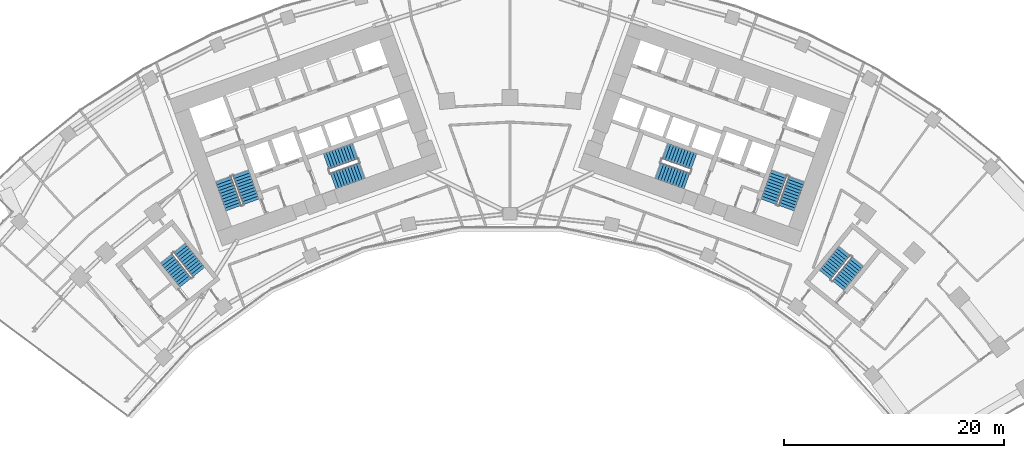
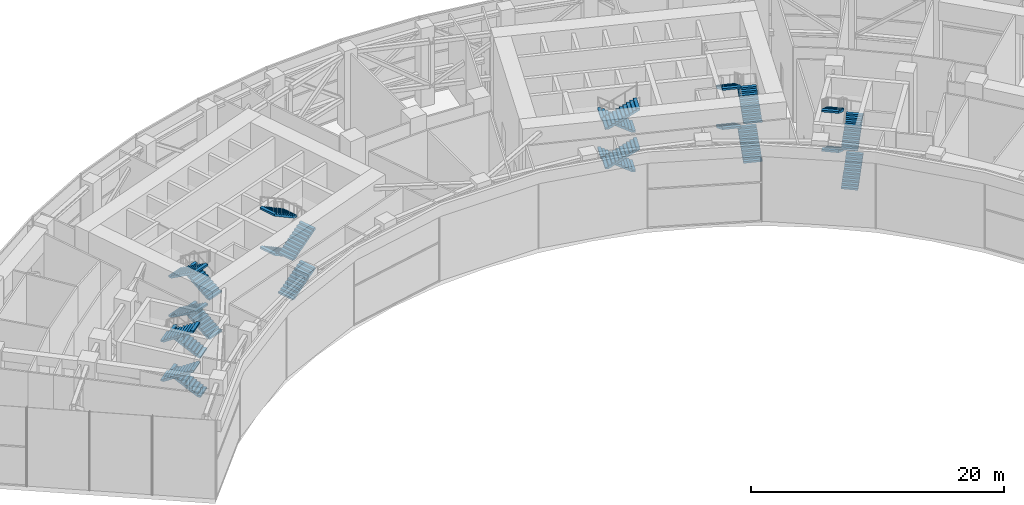
# One storey, part 27 of 30: 24 stair flights, 6 elements without a shape of their own.
"""IFC4 building model written with IfcOpenShell, lengths in metres."""

from ifc_helpers import new_model, si_unit, direction, frame, origin, place, context, subcontext, project, spatial, polyline, outline, extrude, material, type_object, element, aggregate, save


model = new_model("IFC4")

# Units and contexts
model_context = context("Model", 3, precision=1e-05, world=origin(), true_north=direction((0.0, 1.0)))
body_context = subcontext(model_context, "Body", "Model", "MODEL_VIEW")
ifc_project = project(units=[si_unit("LENGTHUNIT", "METRE"), si_unit("AREAUNIT", "SQUARE_METRE"), si_unit("VOLUMEUNIT", "CUBIC_METRE"), si_unit("PLANEANGLEUNIT", "RADIAN"), si_unit("MASSUNIT", "GRAM", prefix="KILO")], contexts=[model_context])

# Site, building, storey
site_placement = place(None, origin())
site = spatial("IfcSite", under=ifc_project, at=site_placement, CompositionType="ELEMENT")
building_placement = place(site_placement, origin())
building = spatial("IfcBuilding", under=site, at=building_placement, Name="Stone Belt Terrace Tower", CompositionType="ELEMENT")
storey_placement = place(building_placement, frame((0.0, 0.0, 136.39990234375)))
storey = spatial("IfcBuildingStorey", under=building, at=storey_placement, Name="L33", CompositionType="ELEMENT", Elevation=136.39990234375)

# Stair, stair flights
ifc_material = material(Name="Concrete B40", Category="concrete")
stair_type = type_object("IfcStairType", Name="Exit stair 1500", PredefinedType="HALF_TURN_STAIR", material=ifc_material)
stair_1_placement = place(storey_placement, origin())
stair_1 = element("IfcStair", 1, at=stair_1_placement, inside=storey, type_object=stair_type, Name="L33 Exit stair 1 core A", PredefinedType="HALF_TURN_STAIR")
stair_flight_type = type_object("IfcStairFlightType", Name="Stair flight 1500", PredefinedType="STRAIGHT", material=ifc_material)
stair_flight_1_placement = place(storey_placement, frame((-23.55322265625, 45.51318359375, 0.0), z_axis=(0.0, 0.0, 1.0), x_axis=(-0.338624396177, 0.940921632398, 0.0)))
stair_flight_1 = element("IfcStairFlight", 2, at=stair_flight_1_placement, type_object=stair_flight_type, Name="ST1A flight 1", NumberOfRisers=11, NumberOfTreads=10, PredefinedType="STRAIGHT", RiserHeight=0.172727273, TreadLength=0.28, context=body_context, shape_type="SweptSolid", body=[
    extrude(outline(polyline([(0.0, 0.0), (0.0, 0.172607421875), (0.280029296875, 0.172607421875), (0.280029296875, 0.345458984375), (0.56005859375, 0.345458984375), (0.56005859375, 0.51806640625), (0.840087890625, 0.51806640625), (0.840087890625, 0.69091796875), (1.1201171875, 0.69091796875), (1.1201171875, 0.863525390625), (1.39990234375, 0.863525390625), (1.39990234375, 1.036376953125), (1.679931640625, 1.036376953125), (1.679931640625, 1.208984375), (1.9599609375, 1.208984375), (1.9599609375, 1.3818359375), (2.239990234375, 1.3818359375), (2.239990234375, 1.554443359375), (2.52001953125, 1.554443359375), (2.52001953125, 1.727294921875), (2.800048828125, 1.727294921875), (2.800048828125, 1.89990234375), (2.800048828125, 1.551025390625), (0.285400390625, 0.0), (0.0, 0.0)])), frame((0.0, 0.75, 0.0), z_axis=(0.0, -1.0, 0.0), x_axis=(1.0, 0.0, 0.0)), (0.0, 0.0, 1.0), 1.5),
])
stair_flight_2_placement = place(storey_placement, frame((-26.10107421875, 47.572021484375, 1.900146484375), z_axis=(0.0, 0.0, 1.0), x_axis=(0.338624396177, -0.940921632398, 0.0)))
stair_flight_2 = element("IfcStairFlight", 3, at=stair_flight_2_placement, type_object=stair_flight_type, Name="ST1A flight 2", NumberOfRisers=11, NumberOfTreads=10, PredefinedType="STRAIGHT", RiserHeight=0.172727273, TreadLength=0.28, context=body_context, shape_type="SweptSolid", body=[
    extrude(outline(polyline([(0.0, 0.0), (0.0, 0.172607421875), (0.280029296875, 0.172607421875), (0.280029296875, 0.345458984375), (0.56005859375, 0.345458984375), (0.56005859375, 0.51806640625), (0.840087890625, 0.51806640625), (0.840087890625, 0.69091796875), (1.1201171875, 0.69091796875), (1.1201171875, 0.863525390625), (1.39990234375, 0.863525390625), (1.39990234375, 1.036376953125), (1.679931640625, 1.036376953125), (1.679931640625, 1.208984375), (1.9599609375, 1.208984375), (1.9599609375, 1.3818359375), (2.239990234375, 1.3818359375), (2.239990234375, 1.554443359375), (2.52001953125, 1.554443359375), (2.52001953125, 1.727294921875), (2.800048828125, 1.727294921875), (2.800048828125, 1.89990234375), (2.800048828125, 1.551025390625), (0.285400390625, 0.0), (0.0, 0.0)])), frame((0.0, 0.75, 0.0), z_axis=(0.0, -1.0, 0.0), x_axis=(1.0, 0.0, 0.0)), (0.0, 0.0, 1.0), 1.5),
])
stair_flight_3_placement = place(storey_placement, frame((-23.55322265625, 45.51318359375, 3.800048828125), z_axis=(0.0, 0.0, 1.0), x_axis=(-0.338624396177, 0.940921632398, 0.0)))
stair_flight_3 = element("IfcStairFlight", 4, at=stair_flight_3_placement, type_object=stair_flight_type, Name="ST1A flight 3", NumberOfRisers=11, NumberOfTreads=10, PredefinedType="STRAIGHT", RiserHeight=0.172727273, TreadLength=0.28, context=body_context, shape_type="SweptSolid", body=[
    extrude(outline(polyline([(0.0, 0.0), (0.0, 0.172607421875), (0.280029296875, 0.172607421875), (0.280029296875, 0.345458984375), (0.56005859375, 0.345458984375), (0.56005859375, 0.51806640625), (0.840087890625, 0.51806640625), (0.840087890625, 0.69091796875), (1.1201171875, 0.69091796875), (1.1201171875, 0.863525390625), (1.39990234375, 0.863525390625), (1.39990234375, 1.036376953125), (1.679931640625, 1.036376953125), (1.679931640625, 1.208984375), (1.9599609375, 1.208984375), (1.9599609375, 1.3818359375), (2.239990234375, 1.3818359375), (2.239990234375, 1.554443359375), (2.52001953125, 1.554443359375), (2.52001953125, 1.727294921875), (2.800048828125, 1.727294921875), (2.800048828125, 1.89990234375), (2.800048828125, 1.551025390625), (0.285400390625, 0.0), (0.0, 0.0)])), frame((0.0, 0.75, 0.0), z_axis=(0.0, -1.0, 0.0), x_axis=(1.0, 0.0, 0.0)), (0.0, 0.0, 1.0), 1.5),
])
stair_flight_4_placement = place(storey_placement, frame((-26.10107421875, 47.572021484375, 5.7001953125), z_axis=(0.0, 0.0, 1.0), x_axis=(0.338624396177, -0.940921632398, 0.0)))
stair_flight_4 = element("IfcStairFlight", 5, at=stair_flight_4_placement, type_object=stair_flight_type, Name="ST1A flight 4", NumberOfRisers=11, NumberOfTreads=10, PredefinedType="STRAIGHT", RiserHeight=0.172727273, TreadLength=0.28, context=body_context, shape_type="SweptSolid", body=[
    extrude(outline(polyline([(0.0, 0.0), (0.0, 0.172607421875), (0.280029296875, 0.172607421875), (0.280029296875, 0.345458984375), (0.56005859375, 0.345458984375), (0.56005859375, 0.51806640625), (0.840087890625, 0.51806640625), (0.840087890625, 0.69091796875), (1.1201171875, 0.69091796875), (1.1201171875, 0.863525390625), (1.39990234375, 0.863525390625), (1.39990234375, 1.036376953125), (1.679931640625, 1.036376953125), (1.679931640625, 1.208984375), (1.9599609375, 1.208984375), (1.9599609375, 1.3818359375), (2.239990234375, 1.3818359375), (2.239990234375, 1.554443359375), (2.52001953125, 1.554443359375), (2.52001953125, 1.727294921875), (2.800048828125, 1.727294921875), (2.800048828125, 1.89990234375), (2.800048828125, 1.551025390625), (0.285400390625, 0.0), (0.0, 0.0)])), frame((0.0, 0.75, 0.0), z_axis=(0.0, -1.0, 0.0), x_axis=(1.0, 0.0, 0.0)), (0.0, 0.0, 1.0), 1.5),
])
aggregate(stair_1, [stair_flight_1, stair_flight_2, stair_flight_3, stair_flight_4])

stair_2_placement = place(storey_placement, origin())
stair_2 = element("IfcStair", 6, at=stair_2_placement, inside=storey, type_object=stair_type, Name="L33 Exit stair 2 core A", PredefinedType="HALF_TURN_STAIR")
stair_flight_5_placement = place(storey_placement, frame((-16.101318359375, 47.39794921875, 0.0), z_axis=(0.0, 0.0, 1.0), x_axis=(0.940921632398, 0.338624396177, 0.0)))
stair_flight_5 = element("IfcStairFlight", 7, at=stair_flight_5_placement, type_object=stair_flight_type, Name="ST2A flight 1", NumberOfRisers=11, NumberOfTreads=10, PredefinedType="STRAIGHT", RiserHeight=0.172727273, TreadLength=0.28, context=body_context, shape_type="SweptSolid", body=[
    extrude(outline(polyline([(0.0, 0.0), (0.0, 0.172607421875), (0.280029296875, 0.172607421875), (0.280029296875, 0.345458984375), (0.56005859375, 0.345458984375), (0.56005859375, 0.51806640625), (0.840087890625, 0.51806640625), (0.840087890625, 0.69091796875), (1.1201171875, 0.69091796875), (1.1201171875, 0.863525390625), (1.39990234375, 0.863525390625), (1.39990234375, 1.036376953125), (1.679931640625, 1.036376953125), (1.679931640625, 1.208984375), (1.9599609375, 1.208984375), (1.9599609375, 1.3818359375), (2.239990234375, 1.3818359375), (2.239990234375, 1.554443359375), (2.52001953125, 1.554443359375), (2.52001953125, 1.727294921875), (2.800048828125, 1.727294921875), (2.800048828125, 1.89990234375), (2.800048828125, 1.551025390625), (0.285400390625, 0.0), (0.0, 0.0)])), frame((0.0, 0.75, 0.0), z_axis=(0.0, -1.0, 0.0), x_axis=(1.0, 0.0, 0.0)), (0.0, 0.0, 1.0), 1.5),
])
stair_flight_6_placement = place(storey_placement, frame((-14.110107421875, 50.1337890625, 1.900146484375), z_axis=(0.0, 0.0, 1.0), x_axis=(-0.940921632398, -0.338624396177, 0.0)))
stair_flight_6 = element("IfcStairFlight", 8, at=stair_flight_6_placement, type_object=stair_flight_type, Name="ST2A flight 2", NumberOfRisers=11, NumberOfTreads=10, PredefinedType="STRAIGHT", RiserHeight=0.172727273, TreadLength=0.28, context=body_context, shape_type="SweptSolid", body=[
    extrude(outline(polyline([(0.0, 0.0), (0.0, 0.172607421875), (0.280029296875, 0.172607421875), (0.280029296875, 0.345458984375), (0.56005859375, 0.345458984375), (0.56005859375, 0.51806640625), (0.840087890625, 0.51806640625), (0.840087890625, 0.69091796875), (1.1201171875, 0.69091796875), (1.1201171875, 0.863525390625), (1.39990234375, 0.863525390625), (1.39990234375, 1.036376953125), (1.679931640625, 1.036376953125), (1.679931640625, 1.208984375), (1.9599609375, 1.208984375), (1.9599609375, 1.3818359375), (2.239990234375, 1.3818359375), (2.239990234375, 1.554443359375), (2.52001953125, 1.554443359375), (2.52001953125, 1.727294921875), (2.800048828125, 1.727294921875), (2.800048828125, 1.89990234375), (2.800048828125, 1.551025390625), (0.285400390625, 0.0), (0.0, 0.0)])), frame((0.0, 0.75, 0.0), z_axis=(0.0, -1.0, 0.0), x_axis=(1.0, 0.0, 0.0)), (0.0, 0.0, 1.0), 1.5),
])
stair_flight_7_placement = place(storey_placement, frame((-16.101318359375, 47.39794921875, 3.800048828125), z_axis=(0.0, 0.0, 1.0), x_axis=(0.940921632398, 0.338624396177, 0.0)))
stair_flight_7 = element("IfcStairFlight", 9, at=stair_flight_7_placement, type_object=stair_flight_type, Name="ST2A flight 3", NumberOfRisers=11, NumberOfTreads=10, PredefinedType="STRAIGHT", RiserHeight=0.172727273, TreadLength=0.28, context=body_context, shape_type="SweptSolid", body=[
    extrude(outline(polyline([(0.0, 0.0), (0.0, 0.172607421875), (0.280029296875, 0.172607421875), (0.280029296875, 0.345458984375), (0.56005859375, 0.345458984375), (0.56005859375, 0.51806640625), (0.840087890625, 0.51806640625), (0.840087890625, 0.69091796875), (1.1201171875, 0.69091796875), (1.1201171875, 0.863525390625), (1.39990234375, 0.863525390625), (1.39990234375, 1.036376953125), (1.679931640625, 1.036376953125), (1.679931640625, 1.208984375), (1.9599609375, 1.208984375), (1.9599609375, 1.3818359375), (2.239990234375, 1.3818359375), (2.239990234375, 1.554443359375), (2.52001953125, 1.554443359375), (2.52001953125, 1.727294921875), (2.800048828125, 1.727294921875), (2.800048828125, 1.89990234375), (2.800048828125, 1.551025390625), (0.285400390625, 0.0), (0.0, 0.0)])), frame((0.0, 0.75, 0.0), z_axis=(0.0, -1.0, 0.0), x_axis=(1.0, 0.0, 0.0)), (0.0, 0.0, 1.0), 1.5),
])
stair_flight_8_placement = place(storey_placement, frame((-14.110107421875, 50.1337890625, 5.7001953125), z_axis=(0.0, 0.0, 1.0), x_axis=(-0.940921632398, -0.338624396177, 0.0)))
stair_flight_8 = element("IfcStairFlight", 10, at=stair_flight_8_placement, type_object=stair_flight_type, Name="ST2A flight 4", NumberOfRisers=11, NumberOfTreads=10, PredefinedType="STRAIGHT", RiserHeight=0.172727273, TreadLength=0.28, context=body_context, shape_type="SweptSolid", body=[
    extrude(outline(polyline([(0.0, 0.0), (0.0, 0.172607421875), (0.280029296875, 0.172607421875), (0.280029296875, 0.345458984375), (0.56005859375, 0.345458984375), (0.56005859375, 0.51806640625), (0.840087890625, 0.51806640625), (0.840087890625, 0.69091796875), (1.1201171875, 0.69091796875), (1.1201171875, 0.863525390625), (1.39990234375, 0.863525390625), (1.39990234375, 1.036376953125), (1.679931640625, 1.036376953125), (1.679931640625, 1.208984375), (1.9599609375, 1.208984375), (1.9599609375, 1.3818359375), (2.239990234375, 1.3818359375), (2.239990234375, 1.554443359375), (2.52001953125, 1.554443359375), (2.52001953125, 1.727294921875), (2.800048828125, 1.727294921875), (2.800048828125, 1.89990234375), (2.800048828125, 1.551025390625), (0.285400390625, 0.0), (0.0, 0.0)])), frame((0.0, 0.75, 0.0), z_axis=(0.0, -1.0, 0.0), x_axis=(1.0, 0.0, 0.0)), (0.0, 0.0, 1.0), 1.5),
])
aggregate(stair_2, [stair_flight_5, stair_flight_6, stair_flight_7, stair_flight_8])

stair_3_placement = place(storey_placement, origin())
stair_3 = element("IfcStair", 11, at=stair_3_placement, inside=storey, type_object=stair_type, Name="L33 Exit stair 1 core B", PredefinedType="HALF_TURN_STAIR")
stair_flight_9_placement = place(storey_placement, frame((25.15283203125, 44.9375, 0.0), z_axis=(0.0, 0.0, 1.0), x_axis=(0.338624396177, 0.940921632398, 0.0)))
stair_flight_9 = element("IfcStairFlight", 12, at=stair_flight_9_placement, type_object=stair_flight_type, Name="ST1B flight 1", NumberOfRisers=11, NumberOfTreads=10, PredefinedType="STRAIGHT", RiserHeight=0.172727273, TreadLength=0.28, context=body_context, shape_type="SweptSolid", body=[
    extrude(outline(polyline([(0.0, 0.0), (0.0, 0.172607421875), (0.280029296875, 0.172607421875), (0.280029296875, 0.345458984375), (0.56005859375, 0.345458984375), (0.56005859375, 0.51806640625), (0.840087890625, 0.51806640625), (0.840087890625, 0.69091796875), (1.1201171875, 0.69091796875), (1.1201171875, 0.863525390625), (1.39990234375, 0.863525390625), (1.39990234375, 1.036376953125), (1.679931640625, 1.036376953125), (1.679931640625, 1.208984375), (1.9599609375, 1.208984375), (1.9599609375, 1.3818359375), (2.239990234375, 1.3818359375), (2.239990234375, 1.554443359375), (2.52001953125, 1.554443359375), (2.52001953125, 1.727294921875), (2.800048828125, 1.727294921875), (2.800048828125, 1.89990234375), (2.800048828125, 1.551025390625), (0.285400390625, 0.0), (0.0, 0.0)])), frame((0.0, 0.75, 0.0), z_axis=(0.0, -1.0, 0.0), x_axis=(1.0, 0.0, 0.0)), (0.0, 0.0, 1.0), 1.5),
])
stair_flight_10_placement = place(storey_placement, frame((24.50146484375, 48.147705078125, 1.900146484375), z_axis=(0.0, 0.0, 1.0), x_axis=(-0.338624396177, -0.940921632398, 0.0)))
stair_flight_10 = element("IfcStairFlight", 13, at=stair_flight_10_placement, type_object=stair_flight_type, Name="ST1B flight 2", NumberOfRisers=11, NumberOfTreads=10, PredefinedType="STRAIGHT", RiserHeight=0.172727273, TreadLength=0.28, context=body_context, shape_type="SweptSolid", body=[
    extrude(outline(polyline([(0.0, 0.0), (0.0, 0.172607421875), (0.280029296875, 0.172607421875), (0.280029296875, 0.345458984375), (0.56005859375, 0.345458984375), (0.56005859375, 0.51806640625), (0.840087890625, 0.51806640625), (0.840087890625, 0.69091796875), (1.1201171875, 0.69091796875), (1.1201171875, 0.863525390625), (1.39990234375, 0.863525390625), (1.39990234375, 1.036376953125), (1.679931640625, 1.036376953125), (1.679931640625, 1.208984375), (1.9599609375, 1.208984375), (1.9599609375, 1.3818359375), (2.239990234375, 1.3818359375), (2.239990234375, 1.554443359375), (2.52001953125, 1.554443359375), (2.52001953125, 1.727294921875), (2.800048828125, 1.727294921875), (2.800048828125, 1.89990234375), (2.800048828125, 1.551025390625), (0.285400390625, 0.0), (0.0, 0.0)])), frame((0.0, 0.75, 0.0), z_axis=(0.0, -1.0, 0.0), x_axis=(1.0, 0.0, 0.0)), (0.0, 0.0, 1.0), 1.5),
])
stair_flight_11_placement = place(storey_placement, frame((25.15283203125, 44.9375, 3.800048828125), z_axis=(0.0, 0.0, 1.0), x_axis=(0.338624396177, 0.940921632398, 0.0)))
stair_flight_11 = element("IfcStairFlight", 14, at=stair_flight_11_placement, type_object=stair_flight_type, Name="ST1B flight 3", NumberOfRisers=11, NumberOfTreads=10, PredefinedType="STRAIGHT", RiserHeight=0.172727273, TreadLength=0.28, context=body_context, shape_type="SweptSolid", body=[
    extrude(outline(polyline([(0.0, 0.0), (0.0, 0.172607421875), (0.280029296875, 0.172607421875), (0.280029296875, 0.345458984375), (0.56005859375, 0.345458984375), (0.56005859375, 0.51806640625), (0.840087890625, 0.51806640625), (0.840087890625, 0.69091796875), (1.1201171875, 0.69091796875), (1.1201171875, 0.863525390625), (1.39990234375, 0.863525390625), (1.39990234375, 1.036376953125), (1.679931640625, 1.036376953125), (1.679931640625, 1.208984375), (1.9599609375, 1.208984375), (1.9599609375, 1.3818359375), (2.239990234375, 1.3818359375), (2.239990234375, 1.554443359375), (2.52001953125, 1.554443359375), (2.52001953125, 1.727294921875), (2.800048828125, 1.727294921875), (2.800048828125, 1.89990234375), (2.800048828125, 1.551025390625), (0.285400390625, 0.0), (0.0, 0.0)])), frame((0.0, 0.75, 0.0), z_axis=(0.0, -1.0, 0.0), x_axis=(1.0, 0.0, 0.0)), (0.0, 0.0, 1.0), 1.5),
])
stair_flight_12_placement = place(storey_placement, frame((24.50146484375, 48.147705078125, 5.7001953125), z_axis=(0.0, 0.0, 1.0), x_axis=(-0.338624396177, -0.940921632398, 0.0)))
stair_flight_12 = element("IfcStairFlight", 15, at=stair_flight_12_placement, type_object=stair_flight_type, Name="ST1B flight 4", NumberOfRisers=11, NumberOfTreads=10, PredefinedType="STRAIGHT", RiserHeight=0.172727273, TreadLength=0.28, context=body_context, shape_type="SweptSolid", body=[
    extrude(outline(polyline([(0.0, 0.0), (0.0, 0.172607421875), (0.280029296875, 0.172607421875), (0.280029296875, 0.345458984375), (0.56005859375, 0.345458984375), (0.56005859375, 0.51806640625), (0.840087890625, 0.51806640625), (0.840087890625, 0.69091796875), (1.1201171875, 0.69091796875), (1.1201171875, 0.863525390625), (1.39990234375, 0.863525390625), (1.39990234375, 1.036376953125), (1.679931640625, 1.036376953125), (1.679931640625, 1.208984375), (1.9599609375, 1.208984375), (1.9599609375, 1.3818359375), (2.239990234375, 1.3818359375), (2.239990234375, 1.554443359375), (2.52001953125, 1.554443359375), (2.52001953125, 1.727294921875), (2.800048828125, 1.727294921875), (2.800048828125, 1.89990234375), (2.800048828125, 1.551025390625), (0.285400390625, 0.0), (0.0, 0.0)])), frame((0.0, 0.75, 0.0), z_axis=(0.0, -1.0, 0.0), x_axis=(1.0, 0.0, 0.0)), (0.0, 0.0, 1.0), 1.5),
])
aggregate(stair_3, [stair_flight_9, stair_flight_10, stair_flight_11, stair_flight_12])

stair_4_placement = place(storey_placement, origin())
stair_4 = element("IfcStair", 16, at=stair_4_placement, inside=storey, type_object=stair_type, Name="L33 Exit stair 2 core B", PredefinedType="HALF_TURN_STAIR")
stair_flight_13_placement = place(storey_placement, frame((16.74462890625, 49.185546875, 0.0), z_axis=(0.0, 0.0, 1.0), x_axis=(-0.940921632398, 0.338624396177, 0.0)))
stair_flight_13 = element("IfcStairFlight", 17, at=stair_flight_13_placement, type_object=stair_flight_type, Name="ST2B flight 1", NumberOfRisers=11, NumberOfTreads=10, PredefinedType="STRAIGHT", RiserHeight=0.172727273, TreadLength=0.28, context=body_context, shape_type="SweptSolid", body=[
    extrude(outline(polyline([(0.0, 0.0), (0.0, 0.172607421875), (0.280029296875, 0.172607421875), (0.280029296875, 0.345458984375), (0.56005859375, 0.345458984375), (0.56005859375, 0.51806640625), (0.840087890625, 0.51806640625), (0.840087890625, 0.69091796875), (1.1201171875, 0.69091796875), (1.1201171875, 0.863525390625), (1.39990234375, 0.863525390625), (1.39990234375, 1.036376953125), (1.679931640625, 1.036376953125), (1.679931640625, 1.208984375), (1.9599609375, 1.208984375), (1.9599609375, 1.3818359375), (2.239990234375, 1.3818359375), (2.239990234375, 1.554443359375), (2.52001953125, 1.554443359375), (2.52001953125, 1.727294921875), (2.800048828125, 1.727294921875), (2.800048828125, 1.89990234375), (2.800048828125, 1.551025390625), (0.285400390625, 0.0), (0.0, 0.0)])), frame((0.0, 0.75, 0.0), z_axis=(0.0, -1.0, 0.0), x_axis=(1.0, 0.0, 0.0)), (0.0, 0.0, 1.0), 1.5),
])
stair_flight_14_placement = place(storey_placement, frame((13.466796875, 48.345947265625, 1.900146484375), z_axis=(0.0, 0.0, 1.0), x_axis=(0.940921632398, -0.338624396177, 0.0)))
stair_flight_14 = element("IfcStairFlight", 18, at=stair_flight_14_placement, type_object=stair_flight_type, Name="ST2B flight 2", NumberOfRisers=11, NumberOfTreads=10, PredefinedType="STRAIGHT", RiserHeight=0.172727273, TreadLength=0.28, context=body_context, shape_type="SweptSolid", body=[
    extrude(outline(polyline([(0.0, 0.0), (0.0, 0.172607421875), (0.280029296875, 0.172607421875), (0.280029296875, 0.345458984375), (0.56005859375, 0.345458984375), (0.56005859375, 0.51806640625), (0.840087890625, 0.51806640625), (0.840087890625, 0.69091796875), (1.1201171875, 0.69091796875), (1.1201171875, 0.863525390625), (1.39990234375, 0.863525390625), (1.39990234375, 1.036376953125), (1.679931640625, 1.036376953125), (1.679931640625, 1.208984375), (1.9599609375, 1.208984375), (1.9599609375, 1.3818359375), (2.239990234375, 1.3818359375), (2.239990234375, 1.554443359375), (2.52001953125, 1.554443359375), (2.52001953125, 1.727294921875), (2.800048828125, 1.727294921875), (2.800048828125, 1.89990234375), (2.800048828125, 1.551025390625), (0.285400390625, 0.0), (0.0, 0.0)])), frame((0.0, 0.75, 0.0), z_axis=(0.0, -1.0, 0.0), x_axis=(1.0, 0.0, 0.0)), (0.0, 0.0, 1.0), 1.5),
])
stair_flight_15_placement = place(storey_placement, frame((16.74462890625, 49.185546875, 3.800048828125), z_axis=(0.0, 0.0, 1.0), x_axis=(-0.940921632398, 0.338624396177, 0.0)))
stair_flight_15 = element("IfcStairFlight", 19, at=stair_flight_15_placement, type_object=stair_flight_type, Name="ST2B flight 3", NumberOfRisers=11, NumberOfTreads=10, PredefinedType="STRAIGHT", RiserHeight=0.172727273, TreadLength=0.28, context=body_context, shape_type="SweptSolid", body=[
    extrude(outline(polyline([(0.0, 0.0), (0.0, 0.172607421875), (0.280029296875, 0.172607421875), (0.280029296875, 0.345458984375), (0.56005859375, 0.345458984375), (0.56005859375, 0.51806640625), (0.840087890625, 0.51806640625), (0.840087890625, 0.69091796875), (1.1201171875, 0.69091796875), (1.1201171875, 0.863525390625), (1.39990234375, 0.863525390625), (1.39990234375, 1.036376953125), (1.679931640625, 1.036376953125), (1.679931640625, 1.208984375), (1.9599609375, 1.208984375), (1.9599609375, 1.3818359375), (2.239990234375, 1.3818359375), (2.239990234375, 1.554443359375), (2.52001953125, 1.554443359375), (2.52001953125, 1.727294921875), (2.800048828125, 1.727294921875), (2.800048828125, 1.89990234375), (2.800048828125, 1.551025390625), (0.285400390625, 0.0), (0.0, 0.0)])), frame((0.0, 0.75, 0.0), z_axis=(0.0, -1.0, 0.0), x_axis=(1.0, 0.0, 0.0)), (0.0, 0.0, 1.0), 1.5),
])
stair_flight_16_placement = place(storey_placement, frame((13.466796875, 48.345947265625, 5.7001953125), z_axis=(0.0, 0.0, 1.0), x_axis=(0.940921632398, -0.338624396177, 0.0)))
stair_flight_16 = element("IfcStairFlight", 20, at=stair_flight_16_placement, type_object=stair_flight_type, Name="ST2B flight 4", NumberOfRisers=11, NumberOfTreads=10, PredefinedType="STRAIGHT", RiserHeight=0.172727273, TreadLength=0.28, context=body_context, shape_type="SweptSolid", body=[
    extrude(outline(polyline([(0.0, 0.0), (0.0, 0.172607421875), (0.280029296875, 0.172607421875), (0.280029296875, 0.345458984375), (0.56005859375, 0.345458984375), (0.56005859375, 0.51806640625), (0.840087890625, 0.51806640625), (0.840087890625, 0.69091796875), (1.1201171875, 0.69091796875), (1.1201171875, 0.863525390625), (1.39990234375, 0.863525390625), (1.39990234375, 1.036376953125), (1.679931640625, 1.036376953125), (1.679931640625, 1.208984375), (1.9599609375, 1.208984375), (1.9599609375, 1.3818359375), (2.239990234375, 1.3818359375), (2.239990234375, 1.554443359375), (2.52001953125, 1.554443359375), (2.52001953125, 1.727294921875), (2.800048828125, 1.727294921875), (2.800048828125, 1.89990234375), (2.800048828125, 1.551025390625), (0.285400390625, 0.0), (0.0, 0.0)])), frame((0.0, 0.75, 0.0), z_axis=(0.0, -1.0, 0.0), x_axis=(1.0, 0.0, 0.0)), (0.0, 0.0, 1.0), 1.5),
])
aggregate(stair_4, [stair_flight_13, stair_flight_14, stair_flight_15, stair_flight_16])

stair_5_placement = place(storey_placement, origin())
stair_5 = element("IfcStair", 21, at=stair_5_placement, inside=storey, type_object=stair_type, Name="L33 Exit stair 3A", PredefinedType="HALF_TURN_STAIR")
stair_flight_17_placement = place(storey_placement, frame((-28.325439453125, 39.1240234375, 0.0), z_axis=(0.0, 0.0, 1.0), x_axis=(-0.623121363691, 0.782125160132, 0.0)))
stair_flight_17 = element("IfcStairFlight", 22, at=stair_flight_17_placement, type_object=stair_flight_type, Name="ST3A flight 1", NumberOfRisers=11, NumberOfTreads=10, PredefinedType="STRAIGHT", RiserHeight=0.172727273, TreadLength=0.28, context=body_context, shape_type="SweptSolid", body=[
    extrude(outline(polyline([(0.0, 0.0), (0.0, 0.172607421875), (0.280029296875, 0.172607421875), (0.280029296875, 0.345458984375), (0.56005859375, 0.345458984375), (0.56005859375, 0.51806640625), (0.840087890625, 0.51806640625), (0.840087890625, 0.69091796875), (1.1201171875, 0.69091796875), (1.1201171875, 0.863525390625), (1.39990234375, 0.863525390625), (1.39990234375, 1.036376953125), (1.679931640625, 1.036376953125), (1.679931640625, 1.208984375), (1.9599609375, 1.208984375), (1.9599609375, 1.3818359375), (2.239990234375, 1.3818359375), (2.239990234375, 1.554443359375), (2.52001953125, 1.554443359375), (2.52001953125, 1.727294921875), (2.800048828125, 1.727294921875), (2.800048828125, 1.89990234375), (2.800048828125, 1.551025390625), (0.285400390625, 0.0), (0.0, 0.0)])), frame((0.0, 0.675048828125, 0.0), z_axis=(0.0, -1.0, 0.0), x_axis=(1.0, 0.0, 0.0)), (0.0, 0.0, 1.0), 1.35009765625),
])
stair_flight_18_placement = place(storey_placement, frame((-31.282470703125, 40.34814453125, 1.900146484375), z_axis=(0.0, 0.0, 1.0), x_axis=(0.623121363691, -0.782125160132, 0.0)))
stair_flight_18 = element("IfcStairFlight", 23, at=stair_flight_18_placement, type_object=stair_flight_type, Name="ST3A flight 2", NumberOfRisers=11, NumberOfTreads=10, PredefinedType="STRAIGHT", RiserHeight=0.172727273, TreadLength=0.28, context=body_context, shape_type="SweptSolid", body=[
    extrude(outline(polyline([(0.0, 0.0), (0.0, 0.172607421875), (0.280029296875, 0.172607421875), (0.280029296875, 0.345458984375), (0.56005859375, 0.345458984375), (0.56005859375, 0.51806640625), (0.840087890625, 0.51806640625), (0.840087890625, 0.69091796875), (1.1201171875, 0.69091796875), (1.1201171875, 0.863525390625), (1.39990234375, 0.863525390625), (1.39990234375, 1.036376953125), (1.679931640625, 1.036376953125), (1.679931640625, 1.208984375), (1.9599609375, 1.208984375), (1.9599609375, 1.3818359375), (2.239990234375, 1.3818359375), (2.239990234375, 1.554443359375), (2.52001953125, 1.554443359375), (2.52001953125, 1.727294921875), (2.800048828125, 1.727294921875), (2.800048828125, 1.89990234375), (2.800048828125, 1.551025390625), (0.285400390625, 0.0), (0.0, 0.0)])), frame((0.0, 0.675048828125, 0.0), z_axis=(0.0, -1.0, 0.0), x_axis=(1.0, 0.0, 0.0)), (0.0, 0.0, 1.0), 1.35009765625),
])
stair_flight_19_placement = place(storey_placement, frame((-28.325439453125, 39.1240234375, 3.800048828125), z_axis=(0.0, 0.0, 1.0), x_axis=(-0.623121363691, 0.782125160132, 0.0)))
stair_flight_19 = element("IfcStairFlight", 24, at=stair_flight_19_placement, type_object=stair_flight_type, Name="ST3A flight 3", NumberOfRisers=11, NumberOfTreads=10, PredefinedType="STRAIGHT", RiserHeight=0.172727273, TreadLength=0.28, context=body_context, shape_type="SweptSolid", body=[
    extrude(outline(polyline([(0.0, 0.0), (0.0, 0.172607421875), (0.280029296875, 0.172607421875), (0.280029296875, 0.345458984375), (0.56005859375, 0.345458984375), (0.56005859375, 0.51806640625), (0.840087890625, 0.51806640625), (0.840087890625, 0.69091796875), (1.1201171875, 0.69091796875), (1.1201171875, 0.863525390625), (1.39990234375, 0.863525390625), (1.39990234375, 1.036376953125), (1.679931640625, 1.036376953125), (1.679931640625, 1.208984375), (1.9599609375, 1.208984375), (1.9599609375, 1.3818359375), (2.239990234375, 1.3818359375), (2.239990234375, 1.554443359375), (2.52001953125, 1.554443359375), (2.52001953125, 1.727294921875), (2.800048828125, 1.727294921875), (2.800048828125, 1.89990234375), (2.800048828125, 1.551025390625), (0.285400390625, 0.0), (0.0, 0.0)])), frame((0.0, 0.675048828125, 0.0), z_axis=(0.0, -1.0, 0.0), x_axis=(1.0, 0.0, 0.0)), (0.0, 0.0, 1.0), 1.35009765625),
])
stair_flight_20_placement = place(storey_placement, frame((-31.282470703125, 40.34814453125, 5.7001953125), z_axis=(0.0, 0.0, 1.0), x_axis=(0.623121363691, -0.782125160132, 0.0)))
stair_flight_20 = element("IfcStairFlight", 25, at=stair_flight_20_placement, type_object=stair_flight_type, Name="ST3A flight 4", NumberOfRisers=11, NumberOfTreads=10, PredefinedType="STRAIGHT", RiserHeight=0.172727273, TreadLength=0.28, context=body_context, shape_type="SweptSolid", body=[
    extrude(outline(polyline([(0.0, 0.0), (0.0, 0.172607421875), (0.280029296875, 0.172607421875), (0.280029296875, 0.345458984375), (0.56005859375, 0.345458984375), (0.56005859375, 0.51806640625), (0.840087890625, 0.51806640625), (0.840087890625, 0.69091796875), (1.1201171875, 0.69091796875), (1.1201171875, 0.863525390625), (1.39990234375, 0.863525390625), (1.39990234375, 1.036376953125), (1.679931640625, 1.036376953125), (1.679931640625, 1.208984375), (1.9599609375, 1.208984375), (1.9599609375, 1.3818359375), (2.239990234375, 1.3818359375), (2.239990234375, 1.554443359375), (2.52001953125, 1.554443359375), (2.52001953125, 1.727294921875), (2.800048828125, 1.727294921875), (2.800048828125, 1.89990234375), (2.800048828125, 1.551025390625), (0.285400390625, 0.0), (0.0, 0.0)])), frame((0.0, 0.675048828125, 0.0), z_axis=(0.0, -1.0, 0.0), x_axis=(1.0, 0.0, 0.0)), (0.0, 0.0, 1.0), 1.35009765625),
])
aggregate(stair_5, [stair_flight_17, stair_flight_18, stair_flight_19, stair_flight_20])

stair_6_placement = place(storey_placement, origin())
stair_6 = element("IfcStair", 26, at=stair_6_placement, inside=storey, type_object=stair_type, Name="L33 Exit stair 3B", PredefinedType="HALF_TURN_STAIR")
stair_flight_21_placement = place(storey_placement, frame((29.88330078125, 37.887939453125, 0.0), z_axis=(0.0, 0.0, 1.0), x_axis=(0.630205749599, 0.776428176441, 0.0)))
stair_flight_21 = element("IfcStairFlight", 27, at=stair_flight_21_placement, type_object=stair_flight_type, Name="ST3B flight 1", NumberOfRisers=11, NumberOfTreads=10, PredefinedType="STRAIGHT", RiserHeight=0.172727273, TreadLength=0.28, context=body_context, shape_type="SweptSolid", body=[
    extrude(outline(polyline([(0.0, 0.0), (0.0, 0.172607421875), (0.280029296875, 0.172607421875), (0.280029296875, 0.345458984375), (0.56005859375, 0.345458984375), (0.56005859375, 0.51806640625), (0.840087890625, 0.51806640625), (0.840087890625, 0.69091796875), (1.1201171875, 0.69091796875), (1.1201171875, 0.863525390625), (1.39990234375, 0.863525390625), (1.39990234375, 1.036376953125), (1.679931640625, 1.036376953125), (1.679931640625, 1.208984375), (1.9599609375, 1.208984375), (1.9599609375, 1.3818359375), (2.239990234375, 1.3818359375), (2.239990234375, 1.554443359375), (2.52001953125, 1.554443359375), (2.52001953125, 1.727294921875), (2.800048828125, 1.727294921875), (2.800048828125, 1.89990234375), (2.800048828125, 1.551025390625), (0.285400390625, 0.0), (0.0, 0.0)])), frame((0.0, 0.675048828125, 0.0), z_axis=(0.0, -1.0, 0.0), x_axis=(1.0, 0.0, 0.0)), (0.0, 0.0, 1.0), 1.35009765625),
])
stair_flight_22_placement = place(storey_placement, frame((30.4443359375, 41.038818359375, 1.900146484375), z_axis=(0.0, 0.0, 1.0), x_axis=(-0.630205749599, -0.776428176441, 0.0)))
stair_flight_22 = element("IfcStairFlight", 28, at=stair_flight_22_placement, type_object=stair_flight_type, Name="ST3B flight 2", NumberOfRisers=11, NumberOfTreads=10, PredefinedType="STRAIGHT", RiserHeight=0.172727273, TreadLength=0.28, context=body_context, shape_type="SweptSolid", body=[
    extrude(outline(polyline([(0.0, 0.0), (0.0, 0.172607421875), (0.280029296875, 0.172607421875), (0.280029296875, 0.345458984375), (0.56005859375, 0.345458984375), (0.56005859375, 0.51806640625), (0.840087890625, 0.51806640625), (0.840087890625, 0.69091796875), (1.1201171875, 0.69091796875), (1.1201171875, 0.863525390625), (1.39990234375, 0.863525390625), (1.39990234375, 1.036376953125), (1.679931640625, 1.036376953125), (1.679931640625, 1.208984375), (1.9599609375, 1.208984375), (1.9599609375, 1.3818359375), (2.239990234375, 1.3818359375), (2.239990234375, 1.554443359375), (2.52001953125, 1.554443359375), (2.52001953125, 1.727294921875), (2.800048828125, 1.727294921875), (2.800048828125, 1.89990234375), (2.800048828125, 1.551025390625), (0.285400390625, 0.0), (0.0, 0.0)])), frame((0.0, 0.675048828125, 0.0), z_axis=(0.0, -1.0, 0.0), x_axis=(1.0, 0.0, 0.0)), (0.0, 0.0, 1.0), 1.35009765625),
])
stair_flight_23_placement = place(storey_placement, frame((29.88330078125, 37.887939453125, 3.800048828125), z_axis=(0.0, 0.0, 1.0), x_axis=(0.630205749599, 0.776428176441, 0.0)))
stair_flight_23 = element("IfcStairFlight", 29, at=stair_flight_23_placement, type_object=stair_flight_type, Name="ST3B flight 3", NumberOfRisers=11, NumberOfTreads=10, PredefinedType="STRAIGHT", RiserHeight=0.172727273, TreadLength=0.28, context=body_context, shape_type="SweptSolid", body=[
    extrude(outline(polyline([(0.0, 0.0), (0.0, 0.172607421875), (0.280029296875, 0.172607421875), (0.280029296875, 0.345458984375), (0.56005859375, 0.345458984375), (0.56005859375, 0.51806640625), (0.840087890625, 0.51806640625), (0.840087890625, 0.69091796875), (1.1201171875, 0.69091796875), (1.1201171875, 0.863525390625), (1.39990234375, 0.863525390625), (1.39990234375, 1.036376953125), (1.679931640625, 1.036376953125), (1.679931640625, 1.208984375), (1.9599609375, 1.208984375), (1.9599609375, 1.3818359375), (2.239990234375, 1.3818359375), (2.239990234375, 1.554443359375), (2.52001953125, 1.554443359375), (2.52001953125, 1.727294921875), (2.800048828125, 1.727294921875), (2.800048828125, 1.89990234375), (2.800048828125, 1.551025390625), (0.285400390625, 0.0), (0.0, 0.0)])), frame((0.0, 0.675048828125, 0.0), z_axis=(0.0, -1.0, 0.0), x_axis=(1.0, 0.0, 0.0)), (0.0, 0.0, 1.0), 1.35009765625),
])
stair_flight_24_placement = place(storey_placement, frame((30.4443359375, 41.038818359375, 5.7001953125), z_axis=(0.0, 0.0, 1.0), x_axis=(-0.630205749599, -0.776428176441, 0.0)))
stair_flight_24 = element("IfcStairFlight", 30, at=stair_flight_24_placement, type_object=stair_flight_type, Name="ST3B flight 4", NumberOfRisers=11, NumberOfTreads=10, PredefinedType="STRAIGHT", RiserHeight=0.172727273, TreadLength=0.28, context=body_context, shape_type="SweptSolid", body=[
    extrude(outline(polyline([(0.0, 0.0), (0.0, 0.172607421875), (0.280029296875, 0.172607421875), (0.280029296875, 0.345458984375), (0.56005859375, 0.345458984375), (0.56005859375, 0.51806640625), (0.840087890625, 0.51806640625), (0.840087890625, 0.69091796875), (1.1201171875, 0.69091796875), (1.1201171875, 0.863525390625), (1.39990234375, 0.863525390625), (1.39990234375, 1.036376953125), (1.679931640625, 1.036376953125), (1.679931640625, 1.208984375), (1.9599609375, 1.208984375), (1.9599609375, 1.3818359375), (2.239990234375, 1.3818359375), (2.239990234375, 1.554443359375), (2.52001953125, 1.554443359375), (2.52001953125, 1.727294921875), (2.800048828125, 1.727294921875), (2.800048828125, 1.89990234375), (2.800048828125, 1.551025390625), (0.285400390625, 0.0), (0.0, 0.0)])), frame((0.0, 0.675048828125, 0.0), z_axis=(0.0, -1.0, 0.0), x_axis=(1.0, 0.0, 0.0)), (0.0, 0.0, 1.0), 1.35009765625),
])
aggregate(stair_6, [stair_flight_21, stair_flight_22, stair_flight_23, stair_flight_24])

save(model, "model.ifc")
